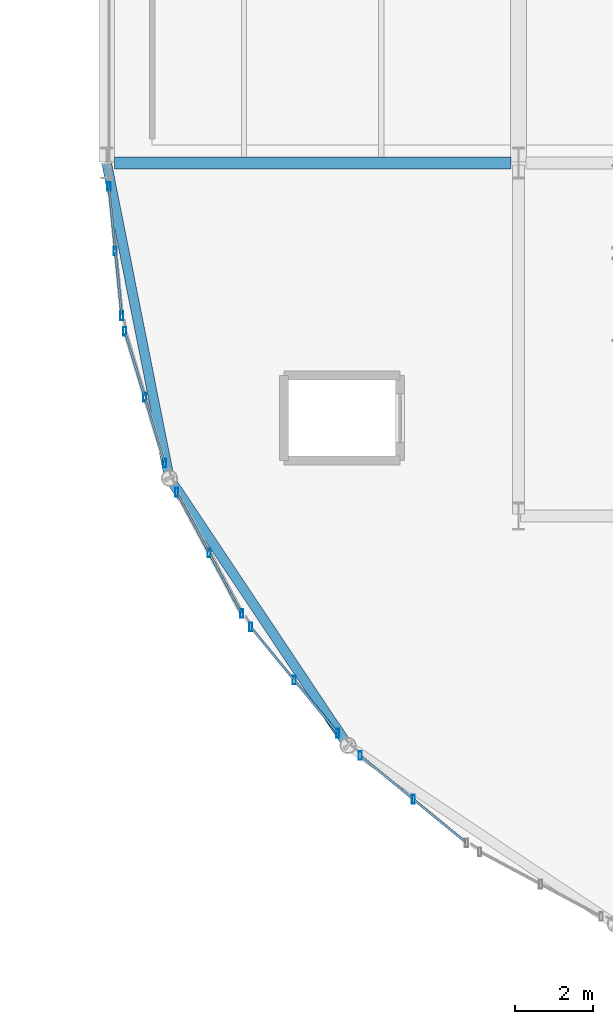
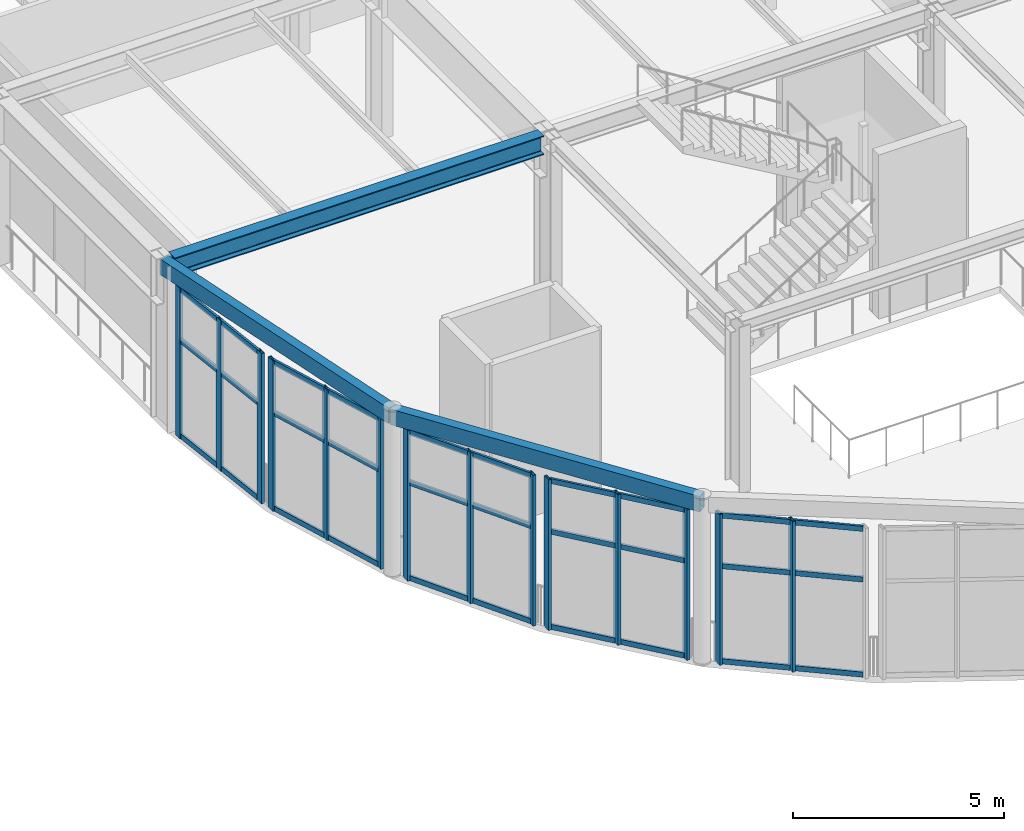
# One storey, part 27 of 143: 44 members, 3 beams, 5 elements without a shape of their own.
"""IFC4 building model written with IfcOpenShell, lengths in metres."""

from ifc_helpers import new_model, si_unit, direction, frame, origin, origin_2d, place, context, subcontext, project, spatial, hollow_rectangle, i_section, extrude, material, layer, layer_set, material_profile, profile_set, type_object, element, aggregate, save


model = new_model("IFC4")

# Units and contexts
model_context = context("Model", 3, precision=1e-05, world=origin(), true_north=direction((0.0, 1.0)))
body_context = subcontext(model_context, "Body", "Model", "MODEL_VIEW")
ifc_project = project(units=[si_unit("LENGTHUNIT", "METRE"), si_unit("AREAUNIT", "SQUARE_METRE"), si_unit("VOLUMEUNIT", "CUBIC_METRE"), si_unit("PLANEANGLEUNIT", "RADIAN"), si_unit("MASSUNIT", "GRAM", prefix="KILO")], contexts=[model_context])

# Site, building, storey
site_placement = place(None, origin())
site = spatial("IfcSite", under=ifc_project, at=site_placement, CompositionType="ELEMENT")
building_placement = place(site_placement, origin())
building = spatial("IfcBuilding", under=site, at=building_placement, Name="Marlcrest Central Station", CompositionType="ELEMENT")
storey_placement = place(building_placement, frame((0.0, 0.0, 4.800048828125)))
storey = spatial("IfcBuildingStorey", under=building, at=storey_placement, Name="L01", CompositionType="ELEMENT", Elevation=4.800048828125)

# Beam
ifc_material_1 = material(Name="Steel S355", Category="steel")
ifc_material_profile_1 = material_profile(ifc_material_1, i_section(OverallWidth=0.300048828125, OverallDepth=0.550048828125, WebThickness=0.014892578125, FlangeThickness=0.029052734375, FilletRadius=0.027099609375, at=origin_2d()), Name="HEB 550")
ifc_profile_set_1 = profile_set([ifc_material_profile_1], Name="Steel S355")
beam_type_1 = type_object("IfcBeamType", Name="BM-11", PredefinedType="BEAM", material=ifc_profile_set_1)
beam_1_placement = place(storey_placement, frame((87.195068359375, 22.5, 4.5400390625), z_axis=(1.0, 0.0, 0.0), x_axis=(0.0, 1.0, 0.0)))
element("IfcBeam", 1, at=beam_1_placement, inside=storey, type_object=beam_type_1, Name="bm-BM-11-L01-01163", PredefinedType="BEAM", context=body_context, shape_type="SweptSolid", body=[
    extrude(i_section(OverallWidth=0.300048828125, OverallDepth=0.550048828125, WebThickness=0.014892578125, FlangeThickness=0.029052734375, FilletRadius=0.027099609375, at=origin_2d()), origin(), (0.0, 0.0, 1.0), 10.10986328125),
])

# Curtain wall, members
ifc_material_2 = material(Name="Anodised aluminium and hurricane laminated glass", Category="aluminium")
ifc_layer = layer(ifc_material_2, 0.219970703125, Name="CW-U1")
ifc_layer_set = layer_set([ifc_layer], Name="Anodised aluminium and hurricane laminated glass")
curtain_wall_type = type_object("IfcCurtainWallType", Name="CW-U1", PredefinedType="USERDEFINED", material=ifc_layer_set)
curtain_wall_1_placement = place(storey_placement, origin())
curtain_wall_1 = element("IfcCurtainWall", 2, at=curtain_wall_1_placement, inside=storey, type_object=curtain_wall_type, Name="cw-L01-0009", ObjectType="UNITISED_CURTAIN_WALL", PredefinedType="USERDEFINED")
ifc_material_3 = material(Name="Anodised aluminium 6063-T6", Category="aluminium")
ifc_material_profile_2 = material_profile(ifc_material_3, hollow_rectangle(XDim=0.080078125, YDim=0.219970703125, WallThickness=0.006103515625, at=origin_2d()), Name="AA-RHS 220x80x6")
ifc_profile_set_2 = profile_set([ifc_material_profile_2], Name="Anodised aluminium 6063-T6")
member_type_1 = type_object("IfcMemberType", Name="ML-01", PredefinedType="MULLION", material=ifc_profile_set_2)
member_1_placement = place(storey_placement, frame((87.3837890625, 18.60791015625, -0.030029296875), z_axis=(0.0, 0.0, 1.0), x_axis=(1.0, 0.0, 0.0)))
member_1 = element("IfcMember", 3, at=member_1_placement, type_object=member_type_1, Name="cw-L01-0009-ml-0", PredefinedType="MULLION", context=body_context, shape_type="SweptSolid", body=[
    extrude(hollow_rectangle(XDim=0.080078125, YDim=0.219970703125, WallThickness=0.006103515625, at=origin_2d()), origin(), (0.0, 0.0, 1.0), 4.35986328125),
])
member_2_placement = place(storey_placement, frame((87.221435546875, 20.2548828125, -0.030029296875), z_axis=(0.0, 0.0, 1.0), x_axis=(1.0, 0.0, 0.0)))
member_2 = element("IfcMember", 4, at=member_2_placement, type_object=member_type_1, Name="cw-L01-0009-ml-1", PredefinedType="MULLION", context=body_context, shape_type="SweptSolid", body=[
    extrude(hollow_rectangle(XDim=0.080078125, YDim=0.219970703125, WallThickness=0.006103515625, at=origin_2d()), origin(), (0.0, 0.0, 1.0), 4.35986328125),
])
member_3_placement = place(storey_placement, frame((87.05908203125, 21.902099609375, -0.030029296875), z_axis=(0.0, 0.0, 1.0), x_axis=(1.0, 0.0, 0.0)))
member_3 = element("IfcMember", 5, at=member_3_placement, type_object=member_type_1, Name="cw-L01-0009-ml-2", PredefinedType="MULLION", context=body_context, shape_type="SweptSolid", body=[
    extrude(hollow_rectangle(XDim=0.080078125, YDim=0.219970703125, WallThickness=0.006103515625, at=origin_2d()), origin(), (0.0, 0.0, 1.0), 4.35986328125),
])

curtain_wall_2_placement = place(storey_placement, origin())
curtain_wall_2 = element("IfcCurtainWall", 6, at=curtain_wall_2_placement, inside=storey, type_object=curtain_wall_type, Name="cw-L01-0010", ObjectType="UNITISED_CURTAIN_WALL", PredefinedType="USERDEFINED")
member_4_placement = place(storey_placement, frame((88.481689453125, 14.8505859375, -0.030029296875), z_axis=(0.0, 0.0, 1.0), x_axis=(1.0, 0.0, 0.0)))
member_4 = element("IfcMember", 7, at=member_4_placement, type_object=member_type_1, Name="cw-L01-0010-ml-0", PredefinedType="MULLION", context=body_context, shape_type="SweptSolid", body=[
    extrude(hollow_rectangle(XDim=0.080078125, YDim=0.219970703125, WallThickness=0.006103515625, at=origin_2d()), origin(), (0.0, 0.0, 1.0), 4.35986328125),
])
member_5_placement = place(storey_placement, frame((87.97265625, 16.5283203125, -0.030029296875), z_axis=(0.0, 0.0, 1.0), x_axis=(1.0, 0.0, 0.0)))
member_5 = element("IfcMember", 8, at=member_5_placement, type_object=member_type_1, Name="cw-L01-0010-ml-1", PredefinedType="MULLION", context=body_context, shape_type="SweptSolid", body=[
    extrude(hollow_rectangle(XDim=0.080078125, YDim=0.219970703125, WallThickness=0.006103515625, at=origin_2d()), origin(), (0.0, 0.0, 1.0), 4.35986328125),
])
member_6_placement = place(storey_placement, frame((87.463623046875, 18.2060546875, -0.030029296875), z_axis=(0.0, 0.0, 1.0), x_axis=(1.0, 0.0, 0.0)))
member_6 = element("IfcMember", 9, at=member_6_placement, type_object=member_type_1, Name="cw-L01-0010-ml-2", PredefinedType="MULLION", context=body_context, shape_type="SweptSolid", body=[
    extrude(hollow_rectangle(XDim=0.080078125, YDim=0.219970703125, WallThickness=0.006103515625, at=origin_2d()), origin(), (0.0, 0.0, 1.0), 4.35986328125),
])

curtain_wall_3_placement = place(storey_placement, origin())
curtain_wall_3 = element("IfcCurtainWall", 10, at=curtain_wall_3_placement, inside=storey, type_object=curtain_wall_type, Name="cw-L01-0011", ObjectType="UNITISED_CURTAIN_WALL", PredefinedType="USERDEFINED")
member_7_placement = place(storey_placement, frame((90.44189453125, 11.014404296875, -0.030029296875), z_axis=(0.0, 0.0, 1.0), x_axis=(1.0, 0.0, 0.0)))
member_7 = element("IfcMember", 11, at=member_7_placement, type_object=member_type_1, Name="cw-L01-0011-ml-0", PredefinedType="MULLION", context=body_context, shape_type="SweptSolid", body=[
    extrude(hollow_rectangle(XDim=0.080078125, YDim=0.219970703125, WallThickness=0.006103515625, at=origin_2d()), origin(), (0.0, 0.0, 1.0), 4.35986328125),
])
member_8_placement = place(storey_placement, frame((89.61572265625, 12.56103515625, -0.030029296875), z_axis=(0.0, 0.0, 1.0), x_axis=(1.0, 0.0, 0.0)))
member_8 = element("IfcMember", 12, at=member_8_placement, type_object=member_type_1, Name="cw-L01-0011-ml-1", PredefinedType="MULLION", context=body_context, shape_type="SweptSolid", body=[
    extrude(hollow_rectangle(XDim=0.080078125, YDim=0.219970703125, WallThickness=0.006103515625, at=origin_2d()), origin(), (0.0, 0.0, 1.0), 4.35986328125),
])
member_9_placement = place(storey_placement, frame((88.789306640625, 14.107666015625, -0.030029296875), z_axis=(0.0, 0.0, 1.0), x_axis=(1.0, 0.0, 0.0)))
member_9 = element("IfcMember", 13, at=member_9_placement, type_object=member_type_1, Name="cw-L01-0011-ml-2", PredefinedType="MULLION", context=body_context, shape_type="SweptSolid", body=[
    extrude(hollow_rectangle(XDim=0.080078125, YDim=0.219970703125, WallThickness=0.006103515625, at=origin_2d()), origin(), (0.0, 0.0, 1.0), 4.35986328125),
])

curtain_wall_4_placement = place(storey_placement, origin())
curtain_wall_4 = element("IfcCurtainWall", 14, at=curtain_wall_4_placement, inside=storey, type_object=curtain_wall_type, Name="cw-L01-0012", ObjectType="UNITISED_CURTAIN_WALL", PredefinedType="USERDEFINED")
member_10_placement = place(storey_placement, frame((92.89453125, 7.96337890625, -0.030029296875), z_axis=(0.0, 0.0, 1.0), x_axis=(1.0, 0.0, 0.0)))
member_10 = element("IfcMember", 15, at=member_10_placement, type_object=member_type_1, Name="cw-L01-0012-ml-0", PredefinedType="MULLION", context=body_context, shape_type="SweptSolid", body=[
    extrude(hollow_rectangle(XDim=0.080078125, YDim=0.219970703125, WallThickness=0.006103515625, at=origin_2d()), origin(), (0.0, 0.0, 1.0), 4.35986328125),
])
member_11_placement = place(storey_placement, frame((91.781982421875, 9.318603515625, -0.030029296875), z_axis=(0.0, 0.0, 1.0), x_axis=(1.0, 0.0, 0.0)))
member_11 = element("IfcMember", 16, at=member_11_placement, type_object=member_type_1, Name="cw-L01-0012-ml-1", PredefinedType="MULLION", context=body_context, shape_type="SweptSolid", body=[
    extrude(hollow_rectangle(XDim=0.080078125, YDim=0.219970703125, WallThickness=0.006103515625, at=origin_2d()), origin(), (0.0, 0.0, 1.0), 4.35986328125),
])
member_12_placement = place(storey_placement, frame((90.669677734375, 10.673828125, -0.030029296875), z_axis=(0.0, 0.0, 1.0), x_axis=(1.0, 0.0, 0.0)))
member_12 = element("IfcMember", 17, at=member_12_placement, type_object=member_type_1, Name="cw-L01-0012-ml-2", PredefinedType="MULLION", context=body_context, shape_type="SweptSolid", body=[
    extrude(hollow_rectangle(XDim=0.080078125, YDim=0.219970703125, WallThickness=0.006103515625, at=origin_2d()), origin(), (0.0, 0.0, 1.0), 4.35986328125),
])

curtain_wall_5_placement = place(storey_placement, origin())
curtain_wall_5 = element("IfcCurtainWall", 18, at=curtain_wall_5_placement, inside=storey, type_object=curtain_wall_type, Name="cw-L01-0013", ObjectType="UNITISED_CURTAIN_WALL", PredefinedType="USERDEFINED")
member_13_placement = place(storey_placement, frame((94.818603515625, 6.281982421875, -0.030029296875), z_axis=(0.0, 0.0, 1.0), x_axis=(1.0, 0.0, 0.0)))
member_13 = element("IfcMember", 19, at=member_13_placement, type_object=member_type_1, Name="cw-L01-0013-ml-1", PredefinedType="MULLION", context=body_context, shape_type="SweptSolid", body=[
    extrude(hollow_rectangle(XDim=0.080078125, YDim=0.219970703125, WallThickness=0.006103515625, at=origin_2d()), origin(), (0.0, 0.0, 1.0), 4.35986328125),
])
member_14_placement = place(storey_placement, frame((93.46337890625, 7.39453125, -0.030029296875), z_axis=(0.0, 0.0, 1.0), x_axis=(1.0, 0.0, 0.0)))
member_14 = element("IfcMember", 20, at=member_14_placement, type_object=member_type_1, Name="cw-L01-0013-ml-2", PredefinedType="MULLION", context=body_context, shape_type="SweptSolid", body=[
    extrude(hollow_rectangle(XDim=0.080078125, YDim=0.219970703125, WallThickness=0.006103515625, at=origin_2d()), origin(), (0.0, 0.0, 1.0), 4.35986328125),
])

# Beams
ifc_material_profile_3 = material_profile(ifc_material_1, hollow_rectangle(XDim=0.25, YDim=0.449951171875, WallThickness=0.01611328125, at=origin_2d()), Name="RHS 450x250x16")
ifc_profile_set_3 = profile_set([ifc_material_profile_3], Name="Steel S355")
beam_type_2 = type_object("IfcBeamType", Name="SP-02", PredefinedType="SPANDREL", material=ifc_profile_set_3)
beam_2_placement = place(storey_placement, frame((87.0, 22.5, 4.58984375), z_axis=(0.19517056122, -0.980769316421, 0.0), x_axis=(0.980769316421, 0.19517056122, 0.0)))
element("IfcBeam", 21, at=beam_2_placement, inside=storey, type_object=beam_type_2, Name="bm-SP-02-L01-01357", PredefinedType="SPANDREL", context=body_context, shape_type="SweptSolid", body=[
    extrude(hollow_rectangle(XDim=0.25, YDim=0.449951171875, WallThickness=0.01611328125, at=origin_2d()), origin(), (0.0, 0.0, 1.0), 8.193359375),
])
beam_3_placement = place(storey_placement, frame((88.59912109375, 14.464111328125, 4.58984375), z_axis=(0.55551129271, -0.831508991937, 0.0), x_axis=(0.831508991937, 0.55551129271, 0.0)))
element("IfcBeam", 22, at=beam_3_placement, inside=storey, type_object=beam_type_2, Name="bm-SP-02-L01-01358", PredefinedType="SPANDREL", context=body_context, shape_type="SweptSolid", body=[
    extrude(hollow_rectangle(XDim=0.25, YDim=0.449951171875, WallThickness=0.01611328125, at=origin_2d()), origin(), (0.0, 0.0, 1.0), 8.19384765625),
])

# Member
ifc_material_profile_4 = material_profile(ifc_material_3, hollow_rectangle(XDim=0.06005859375, YDim=0.14990234375, WallThickness=0.00390625, at=origin_2d()), Name="AA-RHS 150x60x4")
ifc_profile_set_4 = profile_set([ifc_material_profile_4], Name="Anodised aluminium 6063-T6")
member_type_2 = type_object("IfcMemberType", Name="TR-01", PredefinedType="USERDEFINED", material=ifc_profile_set_4)
member_15_placement = place(storey_placement, frame((87.380126953125, 18.645751953125, 0.0400390625), z_axis=(-0.098187021046, 0.995167980242, 0.0), x_axis=(-0.995167980242, -0.098187021046, 0.0)))
member_15 = element("IfcMember", 23, at=member_15_placement, type_object=member_type_2, Name="cw-L01-0009-tr-0-sill", ObjectType="TRANSOM", PredefinedType="USERDEFINED", context=body_context, shape_type="SweptSolid", body=[
    extrude(hollow_rectangle(XDim=0.06005859375, YDim=0.14990234375, WallThickness=0.00390625, at=origin_2d()), origin(), (0.0, 0.0, 1.0), 1.578857421875),
])

member_16_placement = place(storey_placement, frame((87.380126953125, 18.645751953125, 2.794921875), z_axis=(-0.098187021046, 0.995167980242, 0.0), x_axis=(-0.995167980242, -0.098187021046, 0.0)))
member_16 = element("IfcMember", 24, at=member_16_placement, type_object=member_type_2, Name="cw-L01-0009-tr-0-mid", ObjectType="TRANSOM", PredefinedType="USERDEFINED", context=body_context, shape_type="SweptSolid", body=[
    extrude(hollow_rectangle(XDim=0.06005859375, YDim=0.14990234375, WallThickness=0.00390625, at=origin_2d()), origin(), (0.0, 0.0, 1.0), 1.578857421875),
])

member_17_placement = place(storey_placement, frame((87.380126953125, 18.645751953125, 4.260009765625), z_axis=(-0.098187021046, 0.995167980242, 0.0), x_axis=(-0.995167980242, -0.098187021046, 0.0)))
member_17 = element("IfcMember", 25, at=member_17_placement, type_object=member_type_2, Name="cw-L01-0009-tr-0-head", ObjectType="TRANSOM", PredefinedType="USERDEFINED", context=body_context, shape_type="SweptSolid", body=[
    extrude(hollow_rectangle(XDim=0.06005859375, YDim=0.14990234375, WallThickness=0.00390625, at=origin_2d()), origin(), (0.0, 0.0, 1.0), 1.578857421875),
])

member_18_placement = place(storey_placement, frame((87.2177734375, 20.292724609375, 0.0400390625), z_axis=(-0.098171914529, 0.995169470592, 0.0), x_axis=(-0.995169470592, -0.098171914529, 0.0)))
member_18 = element("IfcMember", 26, at=member_18_placement, type_object=member_type_2, Name="cw-L01-0009-tr-1-sill", ObjectType="TRANSOM", PredefinedType="USERDEFINED", context=body_context, shape_type="SweptSolid", body=[
    extrude(hollow_rectangle(XDim=0.06005859375, YDim=0.14990234375, WallThickness=0.00390625, at=origin_2d()), origin(), (0.0, 0.0, 1.0), 1.5791015625),
])

member_19_placement = place(storey_placement, frame((87.2177734375, 20.292724609375, 2.794921875), z_axis=(-0.098171914529, 0.995169470592, 0.0), x_axis=(-0.995169470592, -0.098171914529, 0.0)))
member_19 = element("IfcMember", 27, at=member_19_placement, type_object=member_type_2, Name="cw-L01-0009-tr-1-mid", ObjectType="TRANSOM", PredefinedType="USERDEFINED", context=body_context, shape_type="SweptSolid", body=[
    extrude(hollow_rectangle(XDim=0.06005859375, YDim=0.14990234375, WallThickness=0.00390625, at=origin_2d()), origin(), (0.0, 0.0, 1.0), 1.5791015625),
])

member_20_placement = place(storey_placement, frame((87.2177734375, 20.292724609375, 4.260009765625), z_axis=(-0.098171914529, 0.995169470592, 0.0), x_axis=(-0.995169470592, -0.098171914529, 0.0)))
member_20 = element("IfcMember", 28, at=member_20_placement, type_object=member_type_2, Name="cw-L01-0009-tr-1-head", ObjectType="TRANSOM", PredefinedType="USERDEFINED", context=body_context, shape_type="SweptSolid", body=[
    extrude(hollow_rectangle(XDim=0.06005859375, YDim=0.14990234375, WallThickness=0.00390625, at=origin_2d()), origin(), (0.0, 0.0, 1.0), 1.5791015625),
])

aggregate(curtain_wall_1, [member_1, member_2, member_3, member_15, member_16, member_17, member_18, member_19, member_20])

member_21_placement = place(storey_placement, frame((88.470703125, 14.886962890625, 0.0400390625), z_axis=(-0.29025787087, 0.95694846695, 0.0), x_axis=(-0.95694846695, -0.29025787087, 0.0)))
member_21 = element("IfcMember", 29, at=member_21_placement, type_object=member_type_2, Name="cw-L01-0010-tr-0-sill", ObjectType="TRANSOM", PredefinedType="USERDEFINED", context=body_context, shape_type="SweptSolid", body=[
    extrude(hollow_rectangle(XDim=0.06005859375, YDim=0.14990234375, WallThickness=0.00390625, at=origin_2d()), origin(), (0.0, 0.0, 1.0), 1.67724609375),
])

member_22_placement = place(storey_placement, frame((88.470703125, 14.886962890625, 2.794921875), z_axis=(-0.29025787087, 0.95694846695, 0.0), x_axis=(-0.95694846695, -0.29025787087, 0.0)))
member_22 = element("IfcMember", 30, at=member_22_placement, type_object=member_type_2, Name="cw-L01-0010-tr-0-mid", ObjectType="TRANSOM", PredefinedType="USERDEFINED", context=body_context, shape_type="SweptSolid", body=[
    extrude(hollow_rectangle(XDim=0.06005859375, YDim=0.14990234375, WallThickness=0.00390625, at=origin_2d()), origin(), (0.0, 0.0, 1.0), 1.67724609375),
])

member_23_placement = place(storey_placement, frame((88.470703125, 14.886962890625, 4.260009765625), z_axis=(-0.29025787087, 0.95694846695, 0.0), x_axis=(-0.95694846695, -0.29025787087, 0.0)))
member_23 = element("IfcMember", 31, at=member_23_placement, type_object=member_type_2, Name="cw-L01-0010-tr-0-head", ObjectType="TRANSOM", PredefinedType="USERDEFINED", context=body_context, shape_type="SweptSolid", body=[
    extrude(hollow_rectangle(XDim=0.06005859375, YDim=0.14990234375, WallThickness=0.00390625, at=origin_2d()), origin(), (0.0, 0.0, 1.0), 1.67724609375),
])

member_24_placement = place(storey_placement, frame((87.961669921875, 16.564697265625, 0.0400390625), z_axis=(-0.29025787087, 0.95694846695, 0.0), x_axis=(-0.95694846695, -0.29025787087, 0.0)))
member_24 = element("IfcMember", 32, at=member_24_placement, type_object=member_type_2, Name="cw-L01-0010-tr-1-sill", ObjectType="TRANSOM", PredefinedType="USERDEFINED", context=body_context, shape_type="SweptSolid", body=[
    extrude(hollow_rectangle(XDim=0.06005859375, YDim=0.14990234375, WallThickness=0.00390625, at=origin_2d()), origin(), (0.0, 0.0, 1.0), 1.67724609375),
])

member_25_placement = place(storey_placement, frame((87.961669921875, 16.564697265625, 2.794921875), z_axis=(-0.29025787087, 0.95694846695, 0.0), x_axis=(-0.95694846695, -0.29025787087, 0.0)))
member_25 = element("IfcMember", 33, at=member_25_placement, type_object=member_type_2, Name="cw-L01-0010-tr-1-mid", ObjectType="TRANSOM", PredefinedType="USERDEFINED", context=body_context, shape_type="SweptSolid", body=[
    extrude(hollow_rectangle(XDim=0.06005859375, YDim=0.14990234375, WallThickness=0.00390625, at=origin_2d()), origin(), (0.0, 0.0, 1.0), 1.67724609375),
])

member_26_placement = place(storey_placement, frame((87.961669921875, 16.564697265625, 4.260009765625), z_axis=(-0.29025787087, 0.95694846695, 0.0), x_axis=(-0.95694846695, -0.29025787087, 0.0)))
member_26 = element("IfcMember", 34, at=member_26_placement, type_object=member_type_2, Name="cw-L01-0010-tr-1-head", ObjectType="TRANSOM", PredefinedType="USERDEFINED", context=body_context, shape_type="SweptSolid", body=[
    extrude(hollow_rectangle(XDim=0.06005859375, YDim=0.14990234375, WallThickness=0.00390625, at=origin_2d()), origin(), (0.0, 0.0, 1.0), 1.67724609375),
])

aggregate(curtain_wall_2, [member_4, member_5, member_6, member_21, member_22, member_23, member_24, member_25, member_26])

member_27_placement = place(storey_placement, frame((90.424072265625, 11.048095703125, 0.0400390625), z_axis=(-0.47126796736, 0.881990080976, 0.0), x_axis=(-0.881990080976, -0.47126796736, 0.0)))
member_27 = element("IfcMember", 35, at=member_27_placement, type_object=member_type_2, Name="cw-L01-0011-tr-0-sill", ObjectType="TRANSOM", PredefinedType="USERDEFINED", context=body_context, shape_type="SweptSolid", body=[
    extrude(hollow_rectangle(XDim=0.06005859375, YDim=0.14990234375, WallThickness=0.00390625, at=origin_2d()), origin(), (0.0, 0.0, 1.0), 1.677490234375),
])

member_28_placement = place(storey_placement, frame((90.424072265625, 11.048095703125, 2.794921875), z_axis=(-0.47126796736, 0.881990080976, 0.0), x_axis=(-0.881990080976, -0.47126796736, 0.0)))
member_28 = element("IfcMember", 36, at=member_28_placement, type_object=member_type_2, Name="cw-L01-0011-tr-0-mid", ObjectType="TRANSOM", PredefinedType="USERDEFINED", context=body_context, shape_type="SweptSolid", body=[
    extrude(hollow_rectangle(XDim=0.06005859375, YDim=0.14990234375, WallThickness=0.00390625, at=origin_2d()), origin(), (0.0, 0.0, 1.0), 1.677490234375),
])

member_29_placement = place(storey_placement, frame((90.424072265625, 11.048095703125, 4.260009765625), z_axis=(-0.47126796736, 0.881990080976, 0.0), x_axis=(-0.881990080976, -0.47126796736, 0.0)))
member_29 = element("IfcMember", 37, at=member_29_placement, type_object=member_type_2, Name="cw-L01-0011-tr-0-head", ObjectType="TRANSOM", PredefinedType="USERDEFINED", context=body_context, shape_type="SweptSolid", body=[
    extrude(hollow_rectangle(XDim=0.06005859375, YDim=0.14990234375, WallThickness=0.00390625, at=origin_2d()), origin(), (0.0, 0.0, 1.0), 1.677490234375),
])

member_30_placement = place(storey_placement, frame((89.597900390625, 12.594482421875, 0.0400390625), z_axis=(-0.471207478568, 0.882022398889, 0.0), x_axis=(-0.882022398889, -0.471207478568, 0.0)))
member_30 = element("IfcMember", 38, at=member_30_placement, type_object=member_type_2, Name="cw-L01-0011-tr-1-sill", ObjectType="TRANSOM", PredefinedType="USERDEFINED", context=body_context, shape_type="SweptSolid", body=[
    extrude(hollow_rectangle(XDim=0.06005859375, YDim=0.14990234375, WallThickness=0.00390625, at=origin_2d()), origin(), (0.0, 0.0, 1.0), 1.677734375),
])

member_31_placement = place(storey_placement, frame((89.597900390625, 12.594482421875, 2.794921875), z_axis=(-0.471207478568, 0.882022398889, 0.0), x_axis=(-0.882022398889, -0.471207478568, 0.0)))
member_31 = element("IfcMember", 39, at=member_31_placement, type_object=member_type_2, Name="cw-L01-0011-tr-1-mid", ObjectType="TRANSOM", PredefinedType="USERDEFINED", context=body_context, shape_type="SweptSolid", body=[
    extrude(hollow_rectangle(XDim=0.06005859375, YDim=0.14990234375, WallThickness=0.00390625, at=origin_2d()), origin(), (0.0, 0.0, 1.0), 1.677734375),
])

member_32_placement = place(storey_placement, frame((89.597900390625, 12.594482421875, 4.260009765625), z_axis=(-0.471207478568, 0.882022398889, 0.0), x_axis=(-0.882022398889, -0.471207478568, 0.0)))
member_32 = element("IfcMember", 40, at=member_32_placement, type_object=member_type_2, Name="cw-L01-0011-tr-1-head", ObjectType="TRANSOM", PredefinedType="USERDEFINED", context=body_context, shape_type="SweptSolid", body=[
    extrude(hollow_rectangle(XDim=0.06005859375, YDim=0.14990234375, WallThickness=0.00390625, at=origin_2d()), origin(), (0.0, 0.0, 1.0), 1.677734375),
])

aggregate(curtain_wall_3, [member_7, member_8, member_9, member_27, member_28, member_29, member_30, member_31, member_32])

member_33_placement = place(storey_placement, frame((92.87060546875, 7.99267578125, 0.0400390625), z_axis=(-0.634512842936, 0.772912318539, 0.0), x_axis=(-0.772912318539, -0.634512842936, 0.0)))
member_33 = element("IfcMember", 41, at=member_33_placement, type_object=member_type_2, Name="cw-L01-0012-tr-0-sill", ObjectType="TRANSOM", PredefinedType="USERDEFINED", context=body_context, shape_type="SweptSolid", body=[
    extrude(hollow_rectangle(XDim=0.06005859375, YDim=0.14990234375, WallThickness=0.00390625, at=origin_2d()), origin(), (0.0, 0.0, 1.0), 1.677490234375),
])

member_34_placement = place(storey_placement, frame((92.87060546875, 7.99267578125, 2.794921875), z_axis=(-0.634512842936, 0.772912318539, 0.0), x_axis=(-0.772912318539, -0.634512842936, 0.0)))
member_34 = element("IfcMember", 42, at=member_34_placement, type_object=member_type_2, Name="cw-L01-0012-tr-0-mid", ObjectType="TRANSOM", PredefinedType="USERDEFINED", context=body_context, shape_type="SweptSolid", body=[
    extrude(hollow_rectangle(XDim=0.06005859375, YDim=0.14990234375, WallThickness=0.00390625, at=origin_2d()), origin(), (0.0, 0.0, 1.0), 1.677490234375),
])

member_35_placement = place(storey_placement, frame((92.87060546875, 7.99267578125, 4.260009765625), z_axis=(-0.634512842936, 0.772912318539, 0.0), x_axis=(-0.772912318539, -0.634512842936, 0.0)))
member_35 = element("IfcMember", 43, at=member_35_placement, type_object=member_type_2, Name="cw-L01-0012-tr-0-head", ObjectType="TRANSOM", PredefinedType="USERDEFINED", context=body_context, shape_type="SweptSolid", body=[
    extrude(hollow_rectangle(XDim=0.06005859375, YDim=0.14990234375, WallThickness=0.00390625, at=origin_2d()), origin(), (0.0, 0.0, 1.0), 1.677490234375),
])

member_36_placement = place(storey_placement, frame((91.758056640625, 9.347900390625, 0.0400390625), z_axis=(-0.634512842936, 0.772912318539, 0.0), x_axis=(-0.772912318539, -0.634512842936, 0.0)))
member_36 = element("IfcMember", 44, at=member_36_placement, type_object=member_type_2, Name="cw-L01-0012-tr-1-sill", ObjectType="TRANSOM", PredefinedType="USERDEFINED", context=body_context, shape_type="SweptSolid", body=[
    extrude(hollow_rectangle(XDim=0.06005859375, YDim=0.14990234375, WallThickness=0.00390625, at=origin_2d()), origin(), (0.0, 0.0, 1.0), 1.677490234375),
])

member_37_placement = place(storey_placement, frame((91.758056640625, 9.347900390625, 2.794921875), z_axis=(-0.634512842936, 0.772912318539, 0.0), x_axis=(-0.772912318539, -0.634512842936, 0.0)))
member_37 = element("IfcMember", 45, at=member_37_placement, type_object=member_type_2, Name="cw-L01-0012-tr-1-mid", ObjectType="TRANSOM", PredefinedType="USERDEFINED", context=body_context, shape_type="SweptSolid", body=[
    extrude(hollow_rectangle(XDim=0.06005859375, YDim=0.14990234375, WallThickness=0.00390625, at=origin_2d()), origin(), (0.0, 0.0, 1.0), 1.677490234375),
])

member_38_placement = place(storey_placement, frame((91.758056640625, 9.347900390625, 4.260009765625), z_axis=(-0.634512842936, 0.772912318539, 0.0), x_axis=(-0.772912318539, -0.634512842936, 0.0)))
member_38 = element("IfcMember", 46, at=member_38_placement, type_object=member_type_2, Name="cw-L01-0012-tr-1-head", ObjectType="TRANSOM", PredefinedType="USERDEFINED", context=body_context, shape_type="SweptSolid", body=[
    extrude(hollow_rectangle(XDim=0.06005859375, YDim=0.14990234375, WallThickness=0.00390625, at=origin_2d()), origin(), (0.0, 0.0, 1.0), 1.677490234375),
])

aggregate(curtain_wall_4, [member_10, member_11, member_12, member_33, member_34, member_35, member_36, member_37, member_38])

member_39_placement = place(storey_placement, frame((96.14453125, 5.193603515625, 0.0400390625), z_axis=(-0.772912318539, 0.634512842936, 0.0), x_axis=(-0.634512842936, -0.772912318539, 0.0)))
member_39 = element("IfcMember", 47, at=member_39_placement, type_object=member_type_2, Name="cw-L01-0013-tr-0-sill", ObjectType="TRANSOM", PredefinedType="USERDEFINED", context=body_context, shape_type="SweptSolid", body=[
    extrude(hollow_rectangle(XDim=0.06005859375, YDim=0.14990234375, WallThickness=0.00390625, at=origin_2d()), origin(), (0.0, 0.0, 1.0), 1.677490234375),
])

member_40_placement = place(storey_placement, frame((96.14453125, 5.193603515625, 2.794921875), z_axis=(-0.772912318539, 0.634512842936, 0.0), x_axis=(-0.634512842936, -0.772912318539, 0.0)))
member_40 = element("IfcMember", 48, at=member_40_placement, type_object=member_type_2, Name="cw-L01-0013-tr-0-mid", ObjectType="TRANSOM", PredefinedType="USERDEFINED", context=body_context, shape_type="SweptSolid", body=[
    extrude(hollow_rectangle(XDim=0.06005859375, YDim=0.14990234375, WallThickness=0.00390625, at=origin_2d()), origin(), (0.0, 0.0, 1.0), 1.677490234375),
])

member_41_placement = place(storey_placement, frame((96.14453125, 5.193603515625, 4.260009765625), z_axis=(-0.772912318539, 0.634512842936, 0.0), x_axis=(-0.634512842936, -0.772912318539, 0.0)))
member_41 = element("IfcMember", 49, at=member_41_placement, type_object=member_type_2, Name="cw-L01-0013-tr-0-head", ObjectType="TRANSOM", PredefinedType="USERDEFINED", context=body_context, shape_type="SweptSolid", body=[
    extrude(hollow_rectangle(XDim=0.06005859375, YDim=0.14990234375, WallThickness=0.00390625, at=origin_2d()), origin(), (0.0, 0.0, 1.0), 1.677490234375),
])

member_42_placement = place(storey_placement, frame((94.789306640625, 6.30615234375, 0.0400390625), z_axis=(-0.772912318539, 0.634512842936, 0.0), x_axis=(-0.634512842936, -0.772912318539, 0.0)))
member_42 = element("IfcMember", 50, at=member_42_placement, type_object=member_type_2, Name="cw-L01-0013-tr-1-sill", ObjectType="TRANSOM", PredefinedType="USERDEFINED", context=body_context, shape_type="SweptSolid", body=[
    extrude(hollow_rectangle(XDim=0.06005859375, YDim=0.14990234375, WallThickness=0.00390625, at=origin_2d()), origin(), (0.0, 0.0, 1.0), 1.677490234375),
])

member_43_placement = place(storey_placement, frame((94.789306640625, 6.30615234375, 2.794921875), z_axis=(-0.772912318539, 0.634512842936, 0.0), x_axis=(-0.634512842936, -0.772912318539, 0.0)))
member_43 = element("IfcMember", 51, at=member_43_placement, type_object=member_type_2, Name="cw-L01-0013-tr-1-mid", ObjectType="TRANSOM", PredefinedType="USERDEFINED", context=body_context, shape_type="SweptSolid", body=[
    extrude(hollow_rectangle(XDim=0.06005859375, YDim=0.14990234375, WallThickness=0.00390625, at=origin_2d()), origin(), (0.0, 0.0, 1.0), 1.677490234375),
])

member_44_placement = place(storey_placement, frame((94.789306640625, 6.30615234375, 4.260009765625), z_axis=(-0.772912318539, 0.634512842936, 0.0), x_axis=(-0.634512842936, -0.772912318539, 0.0)))
member_44 = element("IfcMember", 52, at=member_44_placement, type_object=member_type_2, Name="cw-L01-0013-tr-1-head", ObjectType="TRANSOM", PredefinedType="USERDEFINED", context=body_context, shape_type="SweptSolid", body=[
    extrude(hollow_rectangle(XDim=0.06005859375, YDim=0.14990234375, WallThickness=0.00390625, at=origin_2d()), origin(), (0.0, 0.0, 1.0), 1.677490234375),
])

aggregate(curtain_wall_5, [member_13, member_14, member_39, member_40, member_41, member_42, member_43, member_44])

save(model, "model.ifc")
